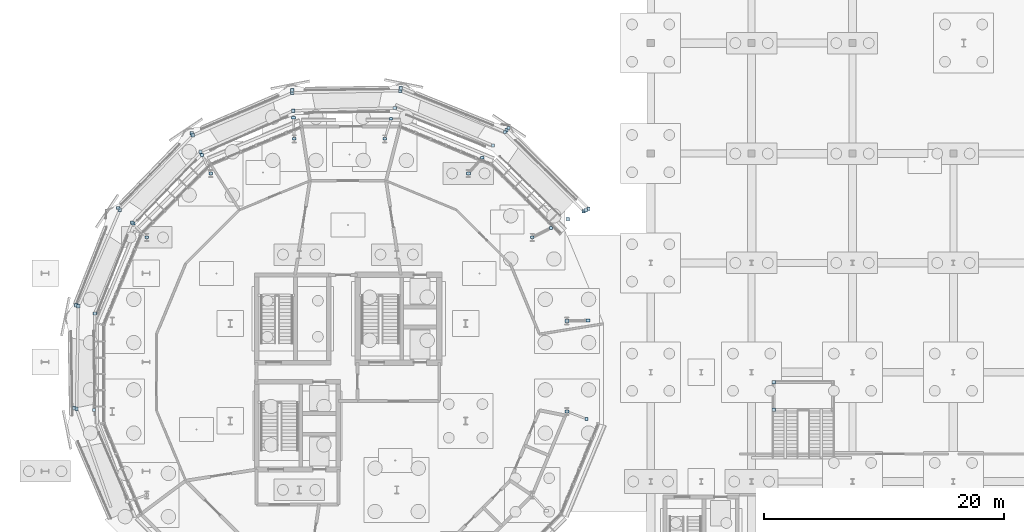
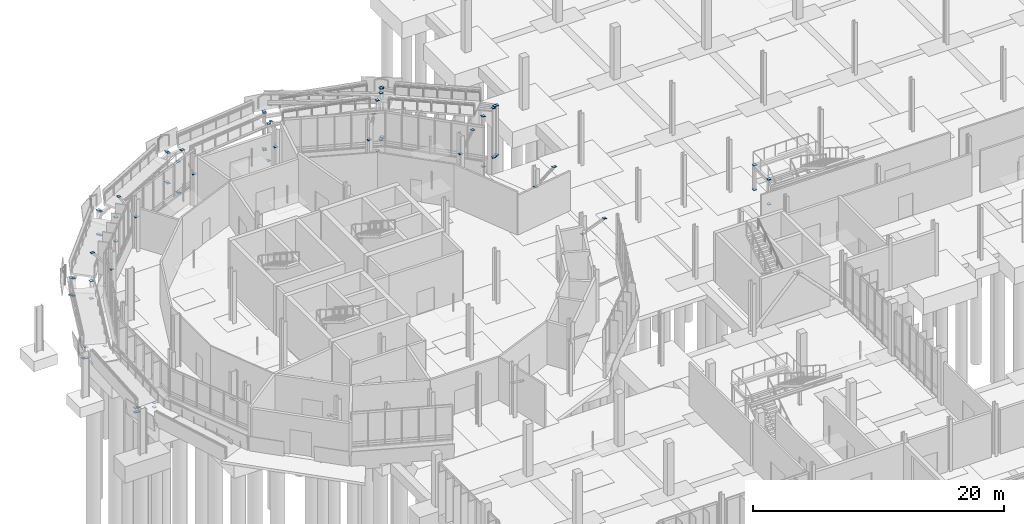
# One storey, part 77 of 119: 72 plates.
"""IFC4 building model written with IfcOpenShell, lengths in metres."""

import ifcopenshell
import ifcopenshell.guid

model = None  # the IFC model being written
_history = None  # IfcOwnerHistory: only IFC2X3 demands one
_inside = {}  # id of a spatial element -> (the spatial element, [elements in it])
_under = {}  # id of a project, library or spatial element -> (it, [spatial elements below it])
_declared = {}  # id of a project -> (the project, [libraries it declares])
_typed = {}  # id of a type object -> (the type object, [elements of that type])
_made_of = {}  # id of a material, layer set ... -> (it, [elements and type objects made of it])


def new_model(schema):
    """Start an empty IFC model of exactly this schema.

    Asked for "IFC4X3", IfcOpenShell would pick the latest addendum, in which some entities
    have other attributes; the version numbers below select the first issue.
    IFC2X3 requires an IfcOwnerHistory on every rooted entity: one is made here for all.
    """
    global model, _history
    if schema == "IFC4X3":
        model = ifcopenshell.file(schema_version=(4, 3, 0, 0))
    else:
        model = ifcopenshell.file(schema=schema)
    _inside.clear()
    _under.clear()
    _declared.clear()
    _typed.clear()
    _made_of.clear()
    _history = None
    if model.schema == "IFC2X3":
        org = make("IfcOrganization", Name="unknown")
        user = make(
            "IfcPersonAndOrganization",
            ThePerson=make("IfcPerson", FamilyName="unknown"),
            TheOrganization=org,
        )
        app = make(
            "IfcApplication",
            ApplicationDeveloper=org,
            Version="unknown",
            ApplicationFullName="unknown",
            ApplicationIdentifier="unknown",
        )
        _history = make(
            "IfcOwnerHistory",
            OwningUser=user,
            OwningApplication=app,
            ChangeAction="ADDED",
            CreationDate=0,
        )
    return model


def make(cls, **values):
    """One entity of the class cls with the attributes given. An attribute that is None is left unset."""
    return model.create_entity(
        cls, **{name: value for name, value in values.items() if value is not None}
    )


def rooted(cls, **values):
    """An entity with a GlobalId (a new one), such as an element, a storey or a relation."""
    return make(cls, GlobalId=ifcopenshell.guid.new(), OwnerHistory=_history, **values)


def si_unit(unit_type, name, prefix=None):
    """IfcSIUnit, for example si_unit("LENGTHUNIT", "METRE", prefix="MILLI")."""
    return make("IfcSIUnit", UnitType=unit_type, Prefix=prefix, Name=name)


def derived_unit(unit_type, elements):
    """IfcDerivedUnit: a product of units, each with its exponent."""
    return make(
        "IfcDerivedUnit",
        Elements=[
            make("IfcDerivedUnitElement", Unit=unit, Exponent=power)
            for unit, power in elements
        ],
        UnitType=unit_type,
    )


def assignment(units):
    """IfcUnitAssignment: the units of a project."""
    return None if units is None else make("IfcUnitAssignment", Units=units)


def point(xyz):
    """IfcCartesianPoint."""
    return None if xyz is None else make("IfcCartesianPoint", Coordinates=xyz)


def direction(xyz):
    """IfcDirection."""
    return None if xyz is None else make("IfcDirection", DirectionRatios=xyz)


def frame(location, z_axis=None, x_axis=None):
    """IfcAxis2Placement3D, a coordinate frame: its origin and axes. An axis left out is left unset."""
    return make(
        "IfcAxis2Placement3D",
        Location=point(location),
        Axis=direction(z_axis),
        RefDirection=direction(x_axis),
    )


def frame_2d(location, x_axis=None):
    """IfcAxis2Placement2D, a coordinate frame in the plane: its origin and x axis."""
    return make(
        "IfcAxis2Placement2D", Location=point(location), RefDirection=direction(x_axis)
    )


def origin():
    """The frame at (0, 0, 0) with its axes left unset."""
    return frame((0.0, 0.0, 0.0))


def origin_2d():
    """The frame at (0, 0) in the plane with its x axis left unset."""
    return frame_2d((0.0, 0.0))


def place(relative_to, where):
    """IfcLocalPlacement: puts the frame where relative to a parent placement (None: the world)."""
    return make(
        "IfcLocalPlacement", PlacementRelTo=relative_to, RelativePlacement=where
    )


def context(
    kind, dimensions, precision=None, world=None, true_north=None, identifier=None
):
    """IfcGeometricRepresentationContext, for example the 3D "Model" context."""
    return make(
        "IfcGeometricRepresentationContext",
        ContextIdentifier=identifier,
        ContextType=kind,
        CoordinateSpaceDimension=dimensions,
        Precision=precision,
        WorldCoordinateSystem=world,
        TrueNorth=true_north,
    )


def subcontext(parent, identifier, kind, view, scale=None):
    """IfcGeometricRepresentationSubContext, for example "Body" below "Model"."""
    return make(
        "IfcGeometricRepresentationSubContext",
        ContextIdentifier=identifier,
        ContextType=kind,
        ParentContext=parent,
        TargetScale=scale,
        TargetView=view,
    )


def project(units=None, contexts=None):
    """IfcProject with its units and contexts."""
    return rooted(
        "IfcProject",
        Name="project",
        RepresentationContexts=contexts,
        UnitsInContext=assignment(units),
    )


def spatial(cls, under=None, at=None, **own):
    """A site, building, storey or space (cls), placed at a placement, below another one or the project."""
    s = rooted(cls, ObjectPlacement=at, **own)
    if under is not None:
        _under.setdefault(under.id(), (under, []))[1].append(s)
    return s


def profile(cls, at=None, kind="AREA", **sizes):
    """A parametric profile (cls). Its sizes go by their IFC names, for example OverallWidth=200.0."""
    return make(cls, ProfileType=kind, Position=at, **sizes)


def rectangle(**sizes):
    """IfcRectangleProfileDef."""
    return profile("IfcRectangleProfileDef", **sizes)


def extrude(swept, where, along, depth):
    """IfcExtrudedAreaSolid: the profile swept, set in the frame where, extruded along a direction by depth."""
    return make(
        "IfcExtrudedAreaSolid",
        SweptArea=swept,
        Position=where,
        ExtrudedDirection=direction(along),
        Depth=depth,
    )


def shape(context_of_items, identifier, shape_type, items):
    """IfcShapeRepresentation: the items that make up one representation, for example the "Body"."""
    return make(
        "IfcShapeRepresentation",
        ContextOfItems=context_of_items,
        RepresentationIdentifier=identifier,
        RepresentationType=shape_type,
        Items=items,
    )


def material(Name=None, Category=None):
    """IfcMaterial."""
    return make("IfcMaterial", Name=Name, Category=Category)


def layer(
    of_material, thickness, ventilated=None, Name=None, Category=None, Priority=None
):
    """IfcMaterialLayer: one layer of a wall or slab, of a material (None: an air gap)."""
    return make(
        "IfcMaterialLayer",
        Material=of_material,
        LayerThickness=thickness,
        IsVentilated=ventilated,
        Name=Name,
        Category=Category,
        Priority=Priority,
    )


def layer_set(layers, Name=None):
    """IfcMaterialLayerSet."""
    return make("IfcMaterialLayerSet", MaterialLayers=layers, LayerSetName=Name)


def made_of(thing, what):
    """Note that an element or type object is made of a material, layer set ...; save() writes the relation."""
    if what is not None:
        _made_of.setdefault(what.id(), (what, []))[1].append(thing)
    return thing


def type_object(cls, material=None, **own):
    """A type object (cls), such as IfcWallType, which elements share."""
    return made_of(rooted(cls, **own), material)


def element(
    cls,
    number,
    at=None,
    inside=None,
    cuts=None,
    type_object=None,
    material=None,
    context=None,
    identifier="Body",
    shape_type=None,
    held_by="IfcProductDefinitionShape",
    body=None,
    shapes=None,
    **own,
):
    """One element of the class cls, such as IfcWall. Its Tag is "e" and its number.

    at: its placement. inside: the storey or other place that contains it. cuts: it is an
    opening in that element (IfcRelVoidsElement). A single representation is given by context,
    identifier, shape_type and body (its items); several are given by shapes. held_by: the class
    of the entity that holds the representations. save() writes the other relations.
    """
    e = rooted(cls, Tag="e%d" % number, ObjectPlacement=at, **own)
    if body is not None:
        shapes = [shape(context, identifier, shape_type, body)]
    if shapes is not None:
        e.Representation = make(held_by, Representations=shapes)
    if inside is not None:
        _inside.setdefault(inside.id(), (inside, []))[1].append(e)
    if cuts is not None:
        rooted(
            "IfcRelVoidsElement", RelatingBuildingElement=cuts, RelatedOpeningElement=e
        )
    if type_object is not None:
        _typed.setdefault(type_object.id(), (type_object, []))[1].append(e)
    return made_of(e, material)


def aggregate(whole, parts):
    """IfcRelAggregates: a whole, such as a stair, and the parts it consists of."""
    return rooted("IfcRelAggregates", RelatingObject=whole, RelatedObjects=parts)


def save(model, path):
    """Write the relations noted so far, then the file.

    IfcRelAggregates (storeys below a building ...), IfcRelContainedInSpatialStructure (elements
    in a storey), IfcRelDefinesByType, IfcRelAssociatesMaterial and IfcRelDeclares: one each for
    every whole, place, type object, material and project.
    """
    for whole, parts in _under.values():
        aggregate(whole, parts)
    for where, things in _inside.values():
        rooted(
            "IfcRelContainedInSpatialStructure",
            RelatedElements=things,
            RelatingStructure=where,
        )
    for kind, things in _typed.values():
        rooted("IfcRelDefinesByType", RelatedObjects=things, RelatingType=kind)
    for what, things in _made_of.values():
        rooted("IfcRelAssociatesMaterial", RelatedObjects=things, RelatingMaterial=what)
    for by, libraries in _declared.values():
        rooted("IfcRelDeclares", RelatingContext=by, RelatedDefinitions=libraries)
    model.write(path)


model = new_model("IFC4")

# Units and contexts
model_context = context("Model", 3, precision=1e-05, world=origin(), true_north=direction((0.0, 1.0)))
body_context = subcontext(model_context, "Body", "Model", "MODEL_VIEW")
ifc_project = project(units=[si_unit("LENGTHUNIT", "METRE"), si_unit("AREAUNIT", "SQUARE_METRE"), si_unit("VOLUMEUNIT", "CUBIC_METRE"), si_unit("PLANEANGLEUNIT", "RADIAN"), si_unit("MASSUNIT", "GRAM", prefix="KILO"), derived_unit("THERMALTRANSMITTANCEUNIT", [(si_unit("MASSUNIT", "GRAM", prefix="KILO"), 1), (si_unit("TIMEUNIT", "SECOND"), -3), (si_unit("THERMODYNAMICTEMPERATUREUNIT", "KELVIN"), -1)])], contexts=[model_context])

# Site, building, storey
site_placement = place(None, origin())
site = spatial("IfcSite", under=ifc_project, at=site_placement, CompositionType="ELEMENT")
building_placement = place(site_placement, origin())
building = spatial("IfcBuilding", under=site, at=building_placement, Name="Makaiwela Harbour Ferry Terminal", CompositionType="ELEMENT")
storey_placement = place(building_placement, origin())
storey = spatial("IfcBuildingStorey", under=building, at=storey_placement, Name="L00", CompositionType="ELEMENT", Elevation=0.0)

# Plates
ifc_material = material(Name="Steel ASTM A572 Grade 50", Category="steel")
ifc_layer_1 = layer(ifc_material, 0.02001953125)
ifc_layer_set_1 = layer_set([ifc_layer_1], Name="Steel ASTM A572 Grade 50")
plate_type_1 = type_object("IfcPlateType", Name="STR-PLT-CAP1", PredefinedType="SHEET", material=ifc_layer_set_1)
for number, where, z_axis, x_axis, name in (
    (1, (73.239990234375, 64.469970703125, -0.01708984375), (0.0, 0.0, 1.0), (1.0, 0.0, 0.0), "Post Sealing Cap Plate PC-0009"),
    (2, (73.239990234375, 64.469970703125, 2.39697265625), (0.0, 0.0, 1.0), (1.0, 0.0, 0.0), "Post Sealing Cap Plate PC-0010"),
    (3, (73.239990234375, 66.780029296875, -0.01708984375), (0.0, 0.0, 1.0), (1.0, 0.0, 0.0), "Post Sealing Cap Plate PC-0013"),
    (4, (73.239990234375, 66.780029296875, 2.39697265625), (0.0, 0.0, 1.0), (1.0, 0.0, 0.0), "Post Sealing Cap Plate PC-0014"),
    (5, (15.011962890625, 64.5888671875, 0.032958984375), (0.0, 0.0, 1.0), (1.0, 0.0, 0.0), "Post Sealing Cap Plate PC-0051"),
    (6, (15.011962890625, 64.5888671875, 0.464599609375), (0.0, 0.0, 1.0), (1.0, 0.0, 0.0), "Post Sealing Cap Plate PC-0052"),
    (7, (15.203369140625, 64.573486328125, 0.032958984375), (0.0, 0.0, 1.0), (1.0, 0.0, 0.0), "Post Sealing Cap Plate PC-0053"),
    (8, (15.203369140625, 64.573486328125, 0.45654296875), (0.0, 0.0, 1.0), (1.0, 0.0, 0.0), "Post Sealing Cap Plate PC-0054"),
    (9, (15.180908203125, 73.16162109375, 0.032958984375), (0.0, 0.0, 1.0), (1.0, 0.0, 0.0), "Post Sealing Cap Plate PC-0055"),
    (10, (15.180908203125, 73.16162109375, 1.10205078125), (0.0, 0.0, 1.0), (1.0, 0.0, 0.0), "Post Sealing Cap Plate PC-0056"),
    (11, (15.359619140625, 73.084228515625, 0.032958984375), (0.0, 0.0, 1.0), (1.0, 0.0, 0.0), "Post Sealing Cap Plate PC-0057"),
    (12, (15.359619140625, 73.084228515625, 1.093994140625), (0.0, 0.0, 1.0), (1.0, 0.0, 0.0), "Post Sealing Cap Plate PC-0058"),
    (13, (16.66064453125, 64.456298828125, 0.032958984375), (0.0, 0.0, 1.0), (1.0, 0.0, 0.0), "Post Sealing Cap Plate PC-0071"),
    (14, (16.66064453125, 64.456298828125, 0.45947265625), (0.0, 0.0, 1.0), (1.0, 0.0, 0.0), "Post Sealing Cap Plate PC-0072"),
    (15, (16.72314453125, 72.492919921875, 0.032958984375), (0.0, 0.0, 1.0), (1.0, 0.0, 0.0), "Post Sealing Cap Plate PC-0073"),
    (16, (16.72314453125, 72.492919921875, 1.096923828125), (0.0, 0.0, 1.0), (1.0, 0.0, 0.0), "Post Sealing Cap Plate PC-0074"),
    (17, (18.67919921875, 81.268310546875, 0.032958984375), (0.0, 0.0, 1.0), (1.0, 0.0, 0.0), "Post Sealing Cap Plate PC-0091"),
    (18, (18.67919921875, 81.268310546875, 1.739501953125), (0.0, 0.0, 1.0), (1.0, 0.0, 0.0), "Post Sealing Cap Plate PC-0092"),
    (19, (18.81494140625, 81.12841796875, 0.032958984375), (0.0, 0.0, 1.0), (1.0, 0.0, 0.0), "Post Sealing Cap Plate PC-0095"),
    (20, (18.81494140625, 81.12841796875, 1.7314453125), (0.0, 0.0, 1.0), (1.0, 0.0, 0.0), "Post Sealing Cap Plate PC-0096"),
    (21, (19.8505859375, 80.06103515625, 0.032958984375), (0.0, 0.0, 1.0), (1.0, 0.0, 0.0), "Post Sealing Cap Plate PC-0097"),
    (22, (19.8505859375, 80.06103515625, 1.734375), (0.0, 0.0, 1.0), (1.0, 0.0, 0.0), "Post Sealing Cap Plate PC-0098"),
    (23, (24.893310546875, 87.32275390625, 0.032958984375), (0.0, 0.0, 1.0), (1.0, 0.0, 0.0), "Post Sealing Cap Plate PC-0133"),
    (24, (24.893310546875, 87.32275390625, 2.368896484375), (0.0, 0.0, 1.0), (1.0, 0.0, 0.0), "Post Sealing Cap Plate PC-0134"),
    (25, (24.8095703125, 87.501953125, 0.032958984375), (0.0, 0.0, 1.0), (1.0, 0.0, 0.0), "Post Sealing Cap Plate PC-0135"),
    (26, (24.8095703125, 87.501953125, 2.376953125), (0.0, 0.0, 1.0), (1.0, 0.0, 0.0), "Post Sealing Cap Plate PC-0136"),
    (27, (25.52978515625, 85.961181640625, 0.032958984375), (0.0, 0.0, 1.0), (1.0, 0.0, 0.0), "Post Sealing Cap Plate PC-0139"),
    (28, (25.52978515625, 85.961181640625, 2.3720703125), (0.0, 0.0, 1.0), (1.0, 0.0, 0.0), "Post Sealing Cap Plate PC-0140"),
    (29, (33.235595703125, 89.3681640625, 0.032958984375), (0.0, 0.0, 1.0), (1.0, 0.0, 0.0), "Post Sealing Cap Plate PC-0159"),
    (30, (33.235595703125, 89.3681640625, 3.009521484375), (0.0, 0.0, 1.0), (1.0, 0.0, 0.0), "Post Sealing Cap Plate PC-0160"),
    (31, (33.171875, 90.86865234375, 0.032958984375), (0.0, 0.0, 1.0), (1.0, 0.0, 0.0), "Post Sealing Cap Plate PC-0163"),
    (32, (33.171875, 90.86865234375, 3.006591796875), (0.0, 0.0, 1.0), (1.0, 0.0, 0.0), "Post Sealing Cap Plate PC-0164"),
    (33, (33.16357421875, 91.066650390625, 0.032958984375), (0.0, 0.0, 1.0), (1.0, 0.0, 0.0), "Post Sealing Cap Plate PC-0167"),
    (34, (33.16357421875, 91.066650390625, 3.014404296875), (0.0, 0.0, 1.0), (1.0, 0.0, 0.0), "Post Sealing Cap Plate PC-0168"),
    (35, (41.68115234375, 89.594482421875, 0.032958984375), (0.0, 0.0, 1.0), (1.0, 0.0, 0.0), "Post Sealing Cap Plate PC-0186"),
    (36, (41.68115234375, 89.594482421875, 3.64697265625), (0.0, 0.0, 1.0), (1.0, 0.0, 0.0), "Post Sealing Cap Plate PC-0187"),
    (37, (42.139404296875, 91.034423828125, 0.032958984375), (0.0, 0.0, 1.0), (1.0, 0.0, 0.0), "Post Sealing Cap Plate PC-0192"),
    (38, (42.139404296875, 91.034423828125, 3.64404296875), (0.0, 0.0, 1.0), (1.0, 0.0, 0.0), "Post Sealing Cap Plate PC-0193"),
    (39, (42.19970703125, 91.22412109375, 0.032958984375), (0.0, 0.0, 1.0), (1.0, 0.0, 0.0), "Post Sealing Cap Plate PC-0194"),
    (40, (42.19970703125, 91.22412109375, 3.652099609375), (0.0, 0.0, 1.0), (1.0, 0.0, 0.0), "Post Sealing Cap Plate PC-0195"),
    (41, (49.874755859375, 86.470703125, 0.032958984375), (0.0, 0.0, 1.0), (1.0, 0.0, 0.0), "Post Sealing Cap Plate PC-0226"),
    (42, (49.874755859375, 86.470703125, 4.921875), (0.0, 0.0, 1.0), (1.0, 0.0, 0.0), "Post Sealing Cap Plate PC-0227"),
    (43, (50.872314453125, 87.600341796875, 0.032958984375), (0.0, 0.0, 1.0), (1.0, 0.0, 0.0), "Post Sealing Cap Plate PC-0232"),
    (44, (50.872314453125, 87.600341796875, 4.605224609375), (0.0, 0.0, 1.0), (1.0, 0.0, 0.0), "Post Sealing Cap Plate PC-0233"),
    (45, (50.996826171875, 87.7412109375, 0.032958984375), (0.0, 0.0, 1.0), (1.0, 0.0, 0.0), "Post Sealing Cap Plate PC-0234"),
    (46, (50.996826171875, 87.7412109375, 4.921875), (0.0, 0.0, 1.0), (1.0, 0.0, 0.0), "Post Sealing Cap Plate PC-0235"),
    (47, (51.1611328125, 87.927001953125, 0.032958984375), (0.0, 0.0, 1.0), (1.0, 0.0, 0.0), "Post Sealing Cap Plate PC-0236"),
    (48, (51.1611328125, 87.927001953125, 4.846923828125), (0.0, 0.0, 1.0), (1.0, 0.0, 0.0), "Post Sealing Cap Plate PC-0237"),
    (49, (56.09033203125, 80.32421875, 0.032958984375), (0.0, 0.0, 1.0), (1.0, 0.0, 0.0), "Post Sealing Cap Plate PC-0245"),
    (50, (56.09033203125, 80.32421875, 4.921875), (0.0, 0.0, 1.0), (1.0, 0.0, 0.0), "Post Sealing Cap Plate PC-0246"),
    (51, (57.435302734375, 81.010498046875, 0.032958984375), (0.0, 0.0, 1.0), (1.0, 0.0, 0.0), "Post Sealing Cap Plate PC-0253"),
    (52, (57.435302734375, 81.010498046875, 4.839111328125), (0.0, 0.0, 1.0), (1.0, 0.0, 0.0), "Post Sealing Cap Plate PC-0254"),
    (53, (57.603759765625, 81.096435546875, 0.032958984375), (0.0, 0.0, 1.0), (1.0, 0.0, 0.0), "Post Sealing Cap Plate PC-0255"),
    (54, (57.603759765625, 81.096435546875, 4.921875), (0.0, 0.0, 1.0), (1.0, 0.0, 0.0), "Post Sealing Cap Plate PC-0256"),
    (55, (57.82470703125, 81.208984375, 0.032958984375), (0.0, 0.0, 1.0), (1.0, 0.0, 0.0), "Post Sealing Cap Plate PC-0257"),
    (56, (57.82470703125, 81.208984375, 4.846923828125), (0.0, 0.0, 1.0), (1.0, 0.0, 0.0), "Post Sealing Cap Plate PC-0258"),
):
    element("IfcPlate", number, at=place(storey_placement, frame(where, z_axis=z_axis, x_axis=x_axis)), inside=storey, type_object=plate_type_1, Name=name, PredefinedType="SHEET", context=body_context, shape_type="SweptSolid", body=[
        extrude(rectangle(XDim=0.280029296875, YDim=0.280029296875, at=origin_2d()), origin(), (0.0, 0.0, 1.0), 0.02001953125),
    ])
ifc_layer_2 = layer(ifc_material, 0.02001953125)
ifc_layer_set_2 = layer_set([ifc_layer_2], Name="Steel ASTM A572 Grade 50")
plate_type_2 = type_object("IfcPlateType", Name="STR-PLT-CAP3", PredefinedType="SHEET", material=ifc_layer_set_2)
for number, where, z_axis, x_axis, name in (
    (57, (56.029296875, 71.865234375, 3.18994140625), (0.0, 0.0, 1.0), (1.0, 0.0, 0.0), "Welded End Cap EC-0008"),
    (58, (57.77880859375, 71.908447265625, 4.501953125), (0.0, 0.0, 1.0), (1.0, 0.0, 0.0), "Welded End Cap EC-0009"),
    (59, (53.1474609375, 78.822509765625, 3.18994140625), (0.0, 0.0, 1.0), (1.0, 0.0, 0.0), "Welded End Cap EC-0010"),
    (60, (47.822509765625, 84.1474609375, 3.18994140625), (0.0, 0.0, 1.0), (1.0, 0.0, 0.0), "Welded End Cap EC-0012"),
    (61, (48.98095703125, 85.458984375, 4.501953125), (0.0, 0.0, 1.0), (1.0, 0.0, 0.0), "Welded End Cap EC-0013"),
    (62, (40.865234375, 87.029296875, 3.18994140625), (0.0, 0.0, 1.0), (1.0, 0.0, 0.0), "Welded End Cap EC-0014"),
    (63, (33.334716796875, 87.029296875, 3.18994140625), (0.0, 0.0, 1.0), (1.0, 0.0, 0.0), "Welded End Cap EC-0016"),
    (64, (33.260498046875, 88.777587890625, 4.501953125), (0.0, 0.0, 1.0), (1.0, 0.0, 0.0), "Welded End Cap EC-0017"),
    (65, (26.37744140625, 84.1474609375, 3.18994140625), (0.0, 0.0, 1.0), (1.0, 0.0, 0.0), "Welded End Cap EC-0018"),
    (66, (21.052490234375, 78.822509765625, 3.18994140625), (0.0, 0.0, 1.0), (1.0, 0.0, 0.0), "Welded End Cap EC-0020"),
    (67, (19.927490234375, 79.98193359375, 4.501953125), (0.0, 0.0, 1.0), (1.0, 0.0, 0.0), "Welded End Cap EC-0021"),
    (68, (56.029296875, 64.334716796875, 3.18994140625), (0.0, 0.0, 1.0), (1.0, 0.0, 0.0), "Welded End Cap EC-0034"),
):
    element("IfcPlate", number, at=place(storey_placement, frame(where, z_axis=z_axis, x_axis=x_axis)), inside=storey, type_object=plate_type_2, Name=name, PredefinedType="SHEET", context=body_context, shape_type="SweptSolid", body=[
        extrude(rectangle(XDim=0.320068359375, YDim=0.219970703125, at=origin_2d()), origin(), (0.0, 0.0, 1.0), 0.02001953125),
    ])
ifc_layer_3 = layer(ifc_material, 0.01806640625)
ifc_layer_set_3 = layer_set([ifc_layer_3], Name="Steel ASTM A572 Grade 50")
plate_type_3 = type_object("IfcPlateType", Name="STR-PLT-CAP4", PredefinedType="SHEET", material=ifc_layer_set_3)
for number, where, z_axis, x_axis, name in (
    (69, (54.706298828125, 79.617919921875, 4.5029296875), (0.0, 0.0, 1.0), (1.0, 0.0, 0.0), "Welded End Cap EC-0011"),
    (70, (41.395751953125, 88.697021484375, 4.5029296875), (0.0, 0.0, 1.0), (1.0, 0.0, 0.0), "Welded End Cap EC-0015"),
    (71, (25.654296875, 85.694580078125, 4.5029296875), (0.0, 0.0, 1.0), (1.0, 0.0, 0.0), "Welded End Cap EC-0019"),
    (72, (57.6611328125, 63.703125, 4.5029296875), (0.0, 0.0, 1.0), (1.0, 0.0, 0.0), "Welded End Cap EC-0035"),
):
    element("IfcPlate", number, at=place(storey_placement, frame(where, z_axis=z_axis, x_axis=x_axis)), inside=storey, type_object=plate_type_3, Name=name, PredefinedType="SHEET", context=body_context, shape_type="SweptSolid", body=[
        extrude(rectangle(XDim=0.239990234375, YDim=0.239990234375, at=origin_2d()), origin(), (0.0, 0.0, 1.0), 0.01806640625),
    ])

save(model, "model.ifc")
